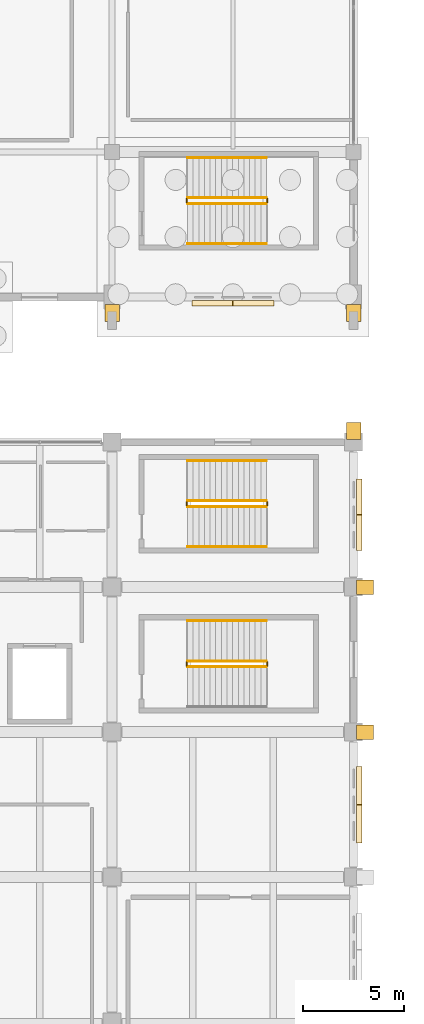
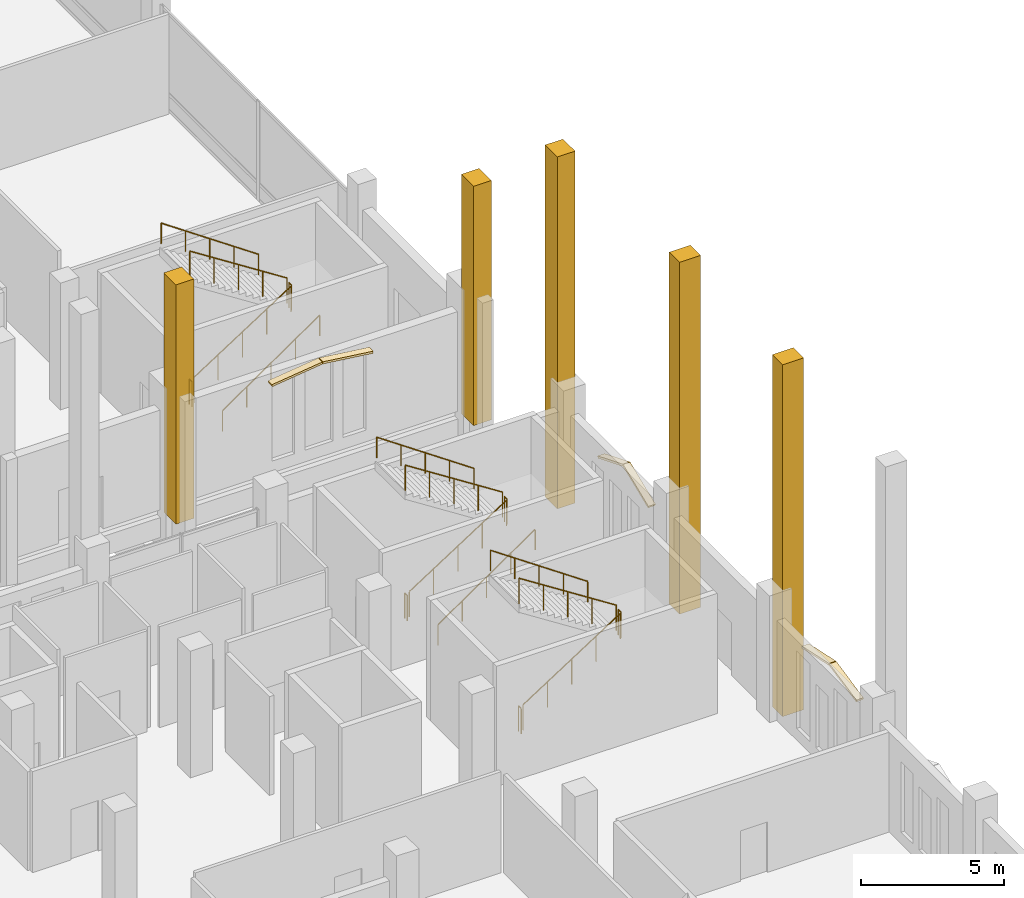
# One storey, part 182 of 192: 17 railings, 11 coverings.
"""IFC4 building model written with IfcOpenShell, lengths in metres."""

from ifc_helpers import new_model, si_unit, direction, frame, origin, origin_2d, place, context, subcontext, project, spatial, polyline, circle, outline, extrude, material, layer, layer_set, type_object, element, save


model = new_model("IFC4")

# Units and contexts
model_context = context("Model", 3, precision=1e-05, world=origin(), true_north=direction((0.0, 1.0)))
body_context = subcontext(model_context, "Body", "Model", "MODEL_VIEW")
ifc_project = project(units=[si_unit("LENGTHUNIT", "METRE"), si_unit("AREAUNIT", "SQUARE_METRE"), si_unit("VOLUMEUNIT", "CUBIC_METRE"), si_unit("PLANEANGLEUNIT", "RADIAN"), si_unit("MASSUNIT", "GRAM", prefix="KILO")], contexts=[model_context])

# Site, building, storey
site_placement = place(None, origin())
site = spatial("IfcSite", under=ifc_project, at=site_placement, CompositionType="ELEMENT")
building_placement = place(site_placement, origin())
building = spatial("IfcBuilding", under=site, at=building_placement, Name="Cendralis Lancet Convention Centre", CompositionType="ELEMENT")
storey_placement = place(building_placement, origin())
storey = spatial("IfcBuildingStorey", under=building, at=storey_placement, Name="L00", CompositionType="ELEMENT", Elevation=0.0)

# Coverings
ifc_material_1 = material(Name="Warm buff sandstone chevron cassette", Category="masonry")
ifc_layer = layer(ifc_material_1, 0.06005859375, Name="Warm buff sandstone chevron cassette")
ifc_layer_set = layer_set([ifc_layer], Name="Warm buff sandstone chevron cassette")
covering_type = type_object("IfcCoveringType", Name="ARC-CV-CLAD1", PredefinedType="CLADDING", material=ifc_layer_set)
for number, where, z_axis, x_axis, name in (
    (1, (204.840087890625, 42.75, 3.969970703125), (0.124695589112, 0.0, 0.992195046378), (0.0, 1.0, 0.0), "L00 Gothic Pointed Lancet Hood-Mould #0081L"),
    (2, (202.7900390625, 42.75, 4.22509765625), (-0.124695589112, 0.0, 0.992195046378), (0.0, 1.0, 0.0), "L00 Gothic Pointed Lancet Hood-Mould #0082R"),
):
    element("IfcCovering", number, at=place(storey_placement, frame(where, z_axis=z_axis, x_axis=x_axis)), inside=storey, type_object=covering_type, Name=name, PredefinedType="CLADDING", context=body_context, shape_type="SweptSolid", body=[
        extrude(outline(polyline([(0.0, 0.0), (0.284912109375, 0.0), (0.284912109375, 2.045998218078807), (0.0, 2.045998218078807), (0.0, 0.0)])), origin(), (0.0, 0.0, -1.0), 0.090087890625),
    ])
covering_1_placement = place(storey_placement, origin())
element("IfcCovering", 3, at=covering_1_placement, inside=storey, type_object=covering_type, Name="Gothic Stepped Stone Buttress Base #0047", PredefinedType="CLADDING", context=body_context, shape_type="SweptSolid", body=[
    extrude(outline(polyline([(196.43994140625, 41.97998046875), (197.159912109375, 41.97998046875), (197.159912109375, 42.830078125), (196.43994140625, 42.830078125), (196.43994140625, 41.97998046875)])), origin(), (0.0, 0.0, 1.0), 10.199951171875),
])
covering_2_placement = place(storey_placement, origin())
element("IfcCovering", 4, at=covering_2_placement, inside=storey, type_object=covering_type, Name="Gothic Stepped Stone Buttress Base #0049", PredefinedType="CLADDING", context=body_context, shape_type="SweptSolid", body=[
    extrude(outline(polyline([(208.43994140625, 41.97998046875), (209.159912109375, 41.97998046875), (209.159912109375, 42.830078125), (208.43994140625, 42.830078125), (208.43994140625, 41.97998046875)])), origin(), (0.0, 0.0, 1.0), 10.199951171875),
])
for number, where, z_axis, x_axis, name in (
    (5, (209.219970703125, 19.89990234375, 3.820068359375), (0.0, 0.209554967628, 0.977796868241), (-1.0, 0.0, 0.0), "L00 Gothic Pointed Lancet Hood-Mould #0313L"),
    (6, (209.219970703125, 17.989990234375, 4.22509765625), (0.0, -0.209554967628, 0.977796868241), (-1.0, 0.0, 0.0), "L00 Gothic Pointed Lancet Hood-Mould #0314R"),
):
    element("IfcCovering", number, at=place(storey_placement, frame(where, z_axis=z_axis, x_axis=x_axis)), inside=storey, type_object=covering_type, Name=name, PredefinedType="CLADDING", context=body_context, shape_type="SweptSolid", body=[
        extrude(outline(polyline([(0.0, 0.0), (0.284912109375, 0.0), (0.284912109375, 1.9328069453980696), (0.0, 1.9328069453980696), (0.0, 0.0)])), origin(), (0.0, 0.0, -1.0), 0.090087890625),
    ])
covering_3_placement = place(storey_placement, frame((209.219970703125, 34.179931640625, 3.27001953125), z_axis=(0.0, 0.376781406525, 0.926302203224), x_axis=(-1.0, 0.0, 0.0)))
element("IfcCovering", 7, at=covering_3_placement, inside=storey, type_object=covering_type, Name="L00 Gothic Pointed Lancet Hood-Mould #0315L", PredefinedType="CLADDING", context=body_context, shape_type="SweptSolid", body=[
    extrude(outline(polyline([(0.0, 0.0), (0.284912109375, 0.0), (0.284912109375, 1.91084456572605), (0.0, 1.91084456572605), (0.0, 0.0)])), origin(), (0.0, 0.0, -1.0), 0.090087890625),
])
covering_4_placement = place(storey_placement, frame((209.219970703125, 32.389892578125, 3.989990234375), z_axis=(0.0, -0.376826003356, 0.926284061827), x_axis=(-1.0, 0.0, 0.0)))
element("IfcCovering", 8, at=covering_4_placement, inside=storey, type_object=covering_type, Name="L00 Gothic Pointed Lancet Hood-Mould #0316R", PredefinedType="CLADDING", context=body_context, shape_type="SweptSolid", body=[
    extrude(outline(polyline([(0.0, 0.0), (0.284912109375, 0.0), (0.284912109375, 1.910618419941611), (0.0, 1.910618419941611), (0.0, 0.0)])), origin(), (0.0, 0.0, -1.0), 0.090087890625),
])
covering_5_placement = place(storey_placement, origin())
element("IfcCovering", 9, at=covering_5_placement, inside=storey, type_object=covering_type, Name="Gothic Stepped Stone Buttress Base #0085", PredefinedType="CLADDING", context=body_context, shape_type="SweptSolid", body=[
    extrude(outline(polyline([(209.159912109375, 36.97998046875), (208.43994140625, 36.97998046875), (208.43994140625, 36.1298828125), (209.159912109375, 36.1298828125), (209.159912109375, 36.97998046875)])), origin(), (0.0, 0.0, 1.0), 15.0),
])
covering_6_placement = place(storey_placement, origin())
element("IfcCovering", 10, at=covering_6_placement, inside=storey, type_object=covering_type, Name="Gothic Stepped Stone Buttress Base #0087", PredefinedType="CLADDING", context=body_context, shape_type="SweptSolid", body=[
    extrude(outline(polyline([(209.780029296875, 21.239990234375), (209.780029296875, 21.9599609375), (208.929931640625, 21.9599609375), (208.929931640625, 21.239990234375), (209.780029296875, 21.239990234375)])), origin(), (0.0, 0.0, 1.0), 15.0),
])
covering_7_placement = place(storey_placement, origin())
element("IfcCovering", 11, at=covering_7_placement, inside=storey, type_object=covering_type, Name="Gothic Stepped Stone Buttress Base #0088", PredefinedType="CLADDING", context=body_context, shape_type="SweptSolid", body=[
    extrude(outline(polyline([(209.780029296875, 28.43994140625), (209.780029296875, 29.159912109375), (208.929931640625, 29.159912109375), (208.929931640625, 28.43994140625), (209.780029296875, 28.43994140625)])), origin(), (0.0, 0.0, 1.0), 15.0),
])

# Railings
ifc_material_2 = material(Name="Steel S355", Category="steel")
railing_type_1 = type_object("IfcRailingType", Name="ARC-RL-CGD", PredefinedType="GUARDRAIL", material=ifc_material_2)
railing_1_placement = place(storey_placement, frame((200.550048828125, 47.85009765625, 0.179931640625)))
element("IfcRailing", 12, at=railing_1_placement, inside=storey, type_object=railing_type_1, Name="L00 ST-09 stair guard 1", PredefinedType="GUARDRAIL", context=body_context, shape_type="SweptSolid", body=[
    extrude(circle(Radius=0.02392578125, at=origin_2d()), frame((0.0, 0.0, 1.076171875), z_axis=(0.841171666519, 0.0, 0.540768182723), x_axis=(0.0, 1.0, 0.0)), (0.0, 0.0, 1.0), 4.66015625),
    extrude(circle(Radius=0.02099609375, at=origin_2d()), origin(), (0.0, 0.0, 1.0), 1.052001953125),
    extrude(circle(Radius=0.02099609375, at=origin_2d()), frame((0.97998046875, 0.0, 0.6298828125)), (0.0, 0.0, 1.0), 1.052001953125),
    extrude(circle(Radius=0.02099609375, at=origin_2d()), frame((1.9599609375, 0.0, 1.260009765625)), (0.0, 0.0, 1.0), 1.052001953125),
    extrude(circle(Radius=0.02099609375, at=origin_2d()), frame((2.93994140625, 0.0, 1.89013671875)), (0.0, 0.0, 1.0), 1.052001953125),
    extrude(circle(Radius=0.02099609375, at=origin_2d()), frame((3.919921875, 0.0, 2.52001953125)), (0.0, 0.0, 1.0), 1.052001953125),
])
railing_2_placement = place(storey_placement, frame((204.52001953125, 47.89990234375, 2.699951171875)))
element("IfcRailing", 13, at=railing_2_placement, inside=storey, type_object=railing_type_1, Name="L00 ST-09 stair guard 2", PredefinedType="GUARDRAIL", context=body_context, shape_type="SweptSolid", body=[
    extrude(circle(Radius=0.02392578125, at=origin_2d()), frame((0.0, 0.0, 1.076171875), z_axis=(0.0, 1.0, 0.0), x_axis=(-1.0, 0.0, 0.0)), (0.0, 0.0, 1.0), 0.18017578125),
    extrude(circle(Radius=0.02099609375, at=origin_2d()), origin(), (0.0, 0.0, 1.0), 1.052001953125),
    extrude(circle(Radius=0.02099609375, at=origin_2d()), frame((0.0, 0.18017578125, 0.0)), (0.0, 0.0, 1.0), 1.052001953125),
])
railing_3_placement = place(storey_placement, frame((204.469970703125, 48.1298828125, 2.8798828125)))
element("IfcRailing", 14, at=railing_3_placement, inside=storey, type_object=railing_type_1, Name="L00 ST-09 stair guard 3", PredefinedType="GUARDRAIL", context=body_context, shape_type="SweptSolid", body=[
    extrude(circle(Radius=0.02392578125, at=origin_2d()), frame((0.0, 0.0, 1.076171875), z_axis=(-0.841171666519, 0.0, 0.540768182723), x_axis=(0.0, -1.0, 0.0)), (0.0, 0.0, 1.0), 4.66015625),
    extrude(circle(Radius=0.02099609375, at=origin_2d()), origin(), (0.0, 0.0, 1.0), 1.052001953125),
    extrude(circle(Radius=0.02099609375, at=origin_2d()), frame((-0.97998046875, 0.0, 0.6298828125)), (0.0, 0.0, 1.0), 1.052001953125),
    extrude(circle(Radius=0.02099609375, at=origin_2d()), frame((-1.9599609375, 0.0, 1.260009765625)), (0.0, 0.0, 1.0), 1.052001953125),
    extrude(circle(Radius=0.02099609375, at=origin_2d()), frame((-2.93994140625, 0.0, 1.89013671875)), (0.0, 0.0, 1.0), 1.052001953125),
    extrude(circle(Radius=0.02099609375, at=origin_2d()), frame((-3.919921875, 0.0, 2.52001953125)), (0.0, 0.0, 1.0), 1.052001953125),
])
railing_4_placement = place(storey_placement, frame((200.5, 47.89990234375, 0.0)))
element("IfcRailing", 15, at=railing_4_placement, inside=storey, type_object=railing_type_1, Name="L00 ST-09 stair guard 4", PredefinedType="GUARDRAIL", context=body_context, shape_type="SweptSolid", body=[
    extrude(circle(Radius=0.02392578125, at=origin_2d()), frame((0.0, 0.0, 1.076171875), z_axis=(0.0, 1.0, 0.0), x_axis=(-1.0, 0.0, 0.0)), (0.0, 0.0, 1.0), 0.18017578125),
    extrude(circle(Radius=0.02099609375, at=origin_2d()), origin(), (0.0, 0.0, 1.0), 1.052001953125),
    extrude(circle(Radius=0.02099609375, at=origin_2d()), frame((0.0, 0.18017578125, 0.0)), (0.0, 0.0, 1.0), 1.052001953125),
])
railing_5_placement = place(storey_placement, frame((200.550048828125, 24.85009765625, 0.179931640625)))
element("IfcRailing", 16, at=railing_5_placement, inside=storey, type_object=railing_type_1, Name="L00 ST-15 stair guard 1", PredefinedType="GUARDRAIL", context=body_context, shape_type="SweptSolid", body=[
    extrude(circle(Radius=0.02392578125, at=origin_2d()), frame((0.0, 0.0, 1.076171875), z_axis=(0.841171666519, 0.0, 0.540768182723), x_axis=(0.0, 1.0, 0.0)), (0.0, 0.0, 1.0), 4.66015625),
    extrude(circle(Radius=0.02099609375, at=origin_2d()), origin(), (0.0, 0.0, 1.0), 1.052001953125),
    extrude(circle(Radius=0.02099609375, at=origin_2d()), frame((0.97998046875, 0.0, 0.6298828125)), (0.0, 0.0, 1.0), 1.052001953125),
    extrude(circle(Radius=0.02099609375, at=origin_2d()), frame((1.9599609375, 0.0, 1.260009765625)), (0.0, 0.0, 1.0), 1.052001953125),
    extrude(circle(Radius=0.02099609375, at=origin_2d()), frame((2.93994140625, 0.0, 1.89013671875)), (0.0, 0.0, 1.0), 1.052001953125),
    extrude(circle(Radius=0.02099609375, at=origin_2d()), frame((3.919921875, 0.0, 2.52001953125)), (0.0, 0.0, 1.0), 1.052001953125),
])
railing_6_placement = place(storey_placement, frame((204.52001953125, 24.89990234375, 2.699951171875)))
element("IfcRailing", 17, at=railing_6_placement, inside=storey, type_object=railing_type_1, Name="L00 ST-15 stair guard 2", PredefinedType="GUARDRAIL", context=body_context, shape_type="SweptSolid", body=[
    extrude(circle(Radius=0.02392578125, at=origin_2d()), frame((0.0, 0.0, 1.076171875), z_axis=(0.0, 1.0, 0.0), x_axis=(-1.0, 0.0, 0.0)), (0.0, 0.0, 1.0), 0.18017578125),
    extrude(circle(Radius=0.02099609375, at=origin_2d()), origin(), (0.0, 0.0, 1.0), 1.052001953125),
    extrude(circle(Radius=0.02099609375, at=origin_2d()), frame((0.0, 0.18017578125, 0.0)), (0.0, 0.0, 1.0), 1.052001953125),
])
railing_7_placement = place(storey_placement, frame((204.469970703125, 25.1298828125, 2.8798828125)))
element("IfcRailing", 18, at=railing_7_placement, inside=storey, type_object=railing_type_1, Name="L00 ST-15 stair guard 3", PredefinedType="GUARDRAIL", context=body_context, shape_type="SweptSolid", body=[
    extrude(circle(Radius=0.02392578125, at=origin_2d()), frame((0.0, 0.0, 1.076171875), z_axis=(-0.841171666519, 0.0, 0.540768182723), x_axis=(0.0, -1.0, 0.0)), (0.0, 0.0, 1.0), 4.66015625),
    extrude(circle(Radius=0.02099609375, at=origin_2d()), origin(), (0.0, 0.0, 1.0), 1.052001953125),
    extrude(circle(Radius=0.02099609375, at=origin_2d()), frame((-0.97998046875, 0.0, 0.6298828125)), (0.0, 0.0, 1.0), 1.052001953125),
    extrude(circle(Radius=0.02099609375, at=origin_2d()), frame((-1.9599609375, 0.0, 1.260009765625)), (0.0, 0.0, 1.0), 1.052001953125),
    extrude(circle(Radius=0.02099609375, at=origin_2d()), frame((-2.93994140625, 0.0, 1.89013671875)), (0.0, 0.0, 1.0), 1.052001953125),
    extrude(circle(Radius=0.02099609375, at=origin_2d()), frame((-3.919921875, 0.0, 2.52001953125)), (0.0, 0.0, 1.0), 1.052001953125),
])
railing_8_placement = place(storey_placement, frame((200.5, 24.89990234375, 0.0)))
element("IfcRailing", 19, at=railing_8_placement, inside=storey, type_object=railing_type_1, Name="L00 ST-15 stair guard 4", PredefinedType="GUARDRAIL", context=body_context, shape_type="SweptSolid", body=[
    extrude(circle(Radius=0.02392578125, at=origin_2d()), frame((0.0, 0.0, 1.076171875), z_axis=(0.0, 1.0, 0.0), x_axis=(-1.0, 0.0, 0.0)), (0.0, 0.0, 1.0), 0.18017578125),
    extrude(circle(Radius=0.02099609375, at=origin_2d()), origin(), (0.0, 0.0, 1.0), 1.052001953125),
    extrude(circle(Radius=0.02099609375, at=origin_2d()), frame((0.0, 0.18017578125, 0.0)), (0.0, 0.0, 1.0), 1.052001953125),
])
railing_9_placement = place(storey_placement, frame((200.550048828125, 32.800048828125, 0.179931640625)))
element("IfcRailing", 20, at=railing_9_placement, inside=storey, type_object=railing_type_1, Name="L00 ST-16 stair guard 1", PredefinedType="GUARDRAIL", context=body_context, shape_type="SweptSolid", body=[
    extrude(circle(Radius=0.02392578125, at=origin_2d()), frame((0.0, 0.0, 1.076171875), z_axis=(0.841171666519, 0.0, 0.540768182723), x_axis=(0.0, 1.0, 0.0)), (0.0, 0.0, 1.0), 4.66015625),
    extrude(circle(Radius=0.02099609375, at=origin_2d()), origin(), (0.0, 0.0, 1.0), 1.052001953125),
    extrude(circle(Radius=0.02099609375, at=origin_2d()), frame((0.97998046875, 0.0, 0.6298828125)), (0.0, 0.0, 1.0), 1.052001953125),
    extrude(circle(Radius=0.02099609375, at=origin_2d()), frame((1.9599609375, 0.0, 1.260009765625)), (0.0, 0.0, 1.0), 1.052001953125),
    extrude(circle(Radius=0.02099609375, at=origin_2d()), frame((2.93994140625, 0.0, 1.89013671875)), (0.0, 0.0, 1.0), 1.052001953125),
    extrude(circle(Radius=0.02099609375, at=origin_2d()), frame((3.919921875, 0.0, 2.52001953125)), (0.0, 0.0, 1.0), 1.052001953125),
])
railing_10_placement = place(storey_placement, frame((204.52001953125, 32.85009765625, 2.699951171875)))
element("IfcRailing", 21, at=railing_10_placement, inside=storey, type_object=railing_type_1, Name="L00 ST-16 stair guard 2", PredefinedType="GUARDRAIL", context=body_context, shape_type="SweptSolid", body=[
    extrude(circle(Radius=0.02392578125, at=origin_2d()), frame((0.0, 0.0, 1.076171875), z_axis=(0.0, 1.0, 0.0), x_axis=(-1.0, 0.0, 0.0)), (0.0, 0.0, 1.0), 0.179931640625),
    extrude(circle(Radius=0.02099609375, at=origin_2d()), origin(), (0.0, 0.0, 1.0), 1.052001953125),
    extrude(circle(Radius=0.02099609375, at=origin_2d()), frame((0.0, 0.179931640625, 0.0)), (0.0, 0.0, 1.0), 1.052001953125),
])
railing_11_placement = place(storey_placement, frame((204.469970703125, 33.080078125, 2.8798828125)))
element("IfcRailing", 22, at=railing_11_placement, inside=storey, type_object=railing_type_1, Name="L00 ST-16 stair guard 3", PredefinedType="GUARDRAIL", context=body_context, shape_type="SweptSolid", body=[
    extrude(circle(Radius=0.02392578125, at=origin_2d()), frame((0.0, 0.0, 1.076171875), z_axis=(-0.841171666519, 0.0, 0.540768182723), x_axis=(0.0, -1.0, 0.0)), (0.0, 0.0, 1.0), 4.66015625),
    extrude(circle(Radius=0.02099609375, at=origin_2d()), origin(), (0.0, 0.0, 1.0), 1.052001953125),
    extrude(circle(Radius=0.02099609375, at=origin_2d()), frame((-0.97998046875, 0.0, 0.6298828125)), (0.0, 0.0, 1.0), 1.052001953125),
    extrude(circle(Radius=0.02099609375, at=origin_2d()), frame((-1.9599609375, 0.0, 1.260009765625)), (0.0, 0.0, 1.0), 1.052001953125),
    extrude(circle(Radius=0.02099609375, at=origin_2d()), frame((-2.93994140625, 0.0, 1.89013671875)), (0.0, 0.0, 1.0), 1.052001953125),
    extrude(circle(Radius=0.02099609375, at=origin_2d()), frame((-3.919921875, 0.0, 2.52001953125)), (0.0, 0.0, 1.0), 1.052001953125),
])
railing_12_placement = place(storey_placement, frame((200.5, 32.85009765625, 0.0)))
element("IfcRailing", 23, at=railing_12_placement, inside=storey, type_object=railing_type_1, Name="L00 ST-16 stair guard 4", PredefinedType="GUARDRAIL", context=body_context, shape_type="SweptSolid", body=[
    extrude(circle(Radius=0.02392578125, at=origin_2d()), frame((0.0, 0.0, 1.076171875), z_axis=(0.0, 1.0, 0.0), x_axis=(-1.0, 0.0, 0.0)), (0.0, 0.0, 1.0), 0.179931640625),
    extrude(circle(Radius=0.02099609375, at=origin_2d()), origin(), (0.0, 0.0, 1.0), 1.052001953125),
    extrude(circle(Radius=0.02099609375, at=origin_2d()), frame((0.0, 0.179931640625, 0.0)), (0.0, 0.0, 1.0), 1.052001953125),
])
railing_type_2 = type_object("IfcRailingType", Name="ARC-RL-CHR", PredefinedType="HANDRAIL", material=ifc_material_2)
railing_13_placement = place(storey_placement, frame((200.550048828125, 45.85009765625, 0.179931640625)))
element("IfcRailing", 24, at=railing_13_placement, inside=storey, type_object=railing_type_2, Name="L00 ST-09 stair handrail 1", PredefinedType="HANDRAIL", context=body_context, shape_type="SweptSolid", body=[
    extrude(circle(Radius=0.02392578125, at=origin_2d()), frame((0.0, 0.0, 0.8759765625), z_axis=(0.823550731654, 0.0, 0.567242622158), x_axis=(0.0, 1.0, 0.0)), (0.0, 0.0, 1.0), 4.759765625),
    extrude(circle(Radius=0.02099609375, at=origin_2d()), origin(), (0.0, 0.0, 1.0), 0.851806640625),
    extrude(circle(Radius=0.02099609375, at=origin_2d()), frame((0.97998046875, 0.0, 0.675048828125)), (0.0, 0.0, 1.0), 0.851806640625),
    extrude(circle(Radius=0.02099609375, at=origin_2d()), frame((1.9599609375, 0.0, 1.35009765625)), (0.0, 0.0, 1.0), 0.851806640625),
    extrude(circle(Radius=0.02099609375, at=origin_2d()), frame((2.93994140625, 0.0, 2.02490234375)), (0.0, 0.0, 1.0), 0.851806640625),
    extrude(circle(Radius=0.02099609375, at=origin_2d()), frame((3.919921875, 0.0, 2.699951171875)), (0.0, 0.0, 1.0), 0.851806640625),
])
for number, where, name in (
    (25, (204.469970703125, 50.1298828125, 2.8798828125), "L00 ST-09 stair handrail 2"),
    (26, (204.469970703125, 27.1298828125, 2.8798828125), "L00 ST-15 stair handrail 2"),
):
    element("IfcRailing", number, at=place(storey_placement, frame(where)), inside=storey, type_object=railing_type_2, Name=name, PredefinedType="HANDRAIL", context=body_context, shape_type="SweptSolid", body=[
        extrude(circle(Radius=0.02392578125, at=origin_2d()), frame((0.0, 0.0, 0.8759765625), z_axis=(-0.823526770215, 0.0, 0.56727740898), x_axis=(0.0, -1.0, 0.0)), (0.0, 0.0, 1.0), 4.760009765625),
        extrude(circle(Radius=0.02099609375, at=origin_2d()), origin(), (0.0, 0.0, 1.0), 0.851806640625),
        extrude(circle(Radius=0.02099609375, at=origin_2d()), frame((-0.97998046875, 0.0, 0.675048828125)), (0.0, 0.0, 1.0), 0.851806640625),
        extrude(circle(Radius=0.02099609375, at=origin_2d()), frame((-1.9599609375, 0.0, 1.35009765625)), (0.0, 0.0, 1.0), 0.851806640625),
        extrude(circle(Radius=0.02099609375, at=origin_2d()), frame((-2.93994140625, 0.0, 2.025146484375)), (0.0, 0.0, 1.0), 0.851806640625),
        extrude(circle(Radius=0.02099609375, at=origin_2d()), frame((-3.919921875, 0.0, 2.7001953125)), (0.0, 0.0, 1.0), 0.851806640625),
    ])
railing_14_placement = place(storey_placement, frame((200.550048828125, 30.800048828125, 0.179931640625)))
element("IfcRailing", 27, at=railing_14_placement, inside=storey, type_object=railing_type_2, Name="L00 ST-16 stair handrail 1", PredefinedType="HANDRAIL", context=body_context, shape_type="SweptSolid", body=[
    extrude(circle(Radius=0.02392578125, at=origin_2d()), frame((0.0, 0.0, 0.8759765625), z_axis=(0.823550731654, 0.0, 0.567242622158), x_axis=(0.0, 1.0, 0.0)), (0.0, 0.0, 1.0), 4.759765625),
    extrude(circle(Radius=0.02099609375, at=origin_2d()), origin(), (0.0, 0.0, 1.0), 0.851806640625),
    extrude(circle(Radius=0.02099609375, at=origin_2d()), frame((0.97998046875, 0.0, 0.675048828125)), (0.0, 0.0, 1.0), 0.851806640625),
    extrude(circle(Radius=0.02099609375, at=origin_2d()), frame((1.9599609375, 0.0, 1.35009765625)), (0.0, 0.0, 1.0), 0.851806640625),
    extrude(circle(Radius=0.02099609375, at=origin_2d()), frame((2.93994140625, 0.0, 2.02490234375)), (0.0, 0.0, 1.0), 0.851806640625),
    extrude(circle(Radius=0.02099609375, at=origin_2d()), frame((3.919921875, 0.0, 2.699951171875)), (0.0, 0.0, 1.0), 0.851806640625),
])
railing_15_placement = place(storey_placement, frame((204.469970703125, 35.080078125, 2.8798828125)))
element("IfcRailing", 28, at=railing_15_placement, inside=storey, type_object=railing_type_2, Name="L00 ST-16 stair handrail 2", PredefinedType="HANDRAIL", context=body_context, shape_type="SweptSolid", body=[
    extrude(circle(Radius=0.02392578125, at=origin_2d()), frame((0.0, 0.0, 0.8759765625), z_axis=(-0.823526770215, 0.0, 0.56727740898), x_axis=(0.0, -1.0, 0.0)), (0.0, 0.0, 1.0), 4.760009765625),
    extrude(circle(Radius=0.02099609375, at=origin_2d()), origin(), (0.0, 0.0, 1.0), 0.851806640625),
    extrude(circle(Radius=0.02099609375, at=origin_2d()), frame((-0.97998046875, 0.0, 0.675048828125)), (0.0, 0.0, 1.0), 0.851806640625),
    extrude(circle(Radius=0.02099609375, at=origin_2d()), frame((-1.9599609375, 0.0, 1.35009765625)), (0.0, 0.0, 1.0), 0.851806640625),
    extrude(circle(Radius=0.02099609375, at=origin_2d()), frame((-2.93994140625, 0.0, 2.025146484375)), (0.0, 0.0, 1.0), 0.851806640625),
    extrude(circle(Radius=0.02099609375, at=origin_2d()), frame((-3.919921875, 0.0, 2.7001953125)), (0.0, 0.0, 1.0), 0.851806640625),
])

save(model, "model.ifc")
